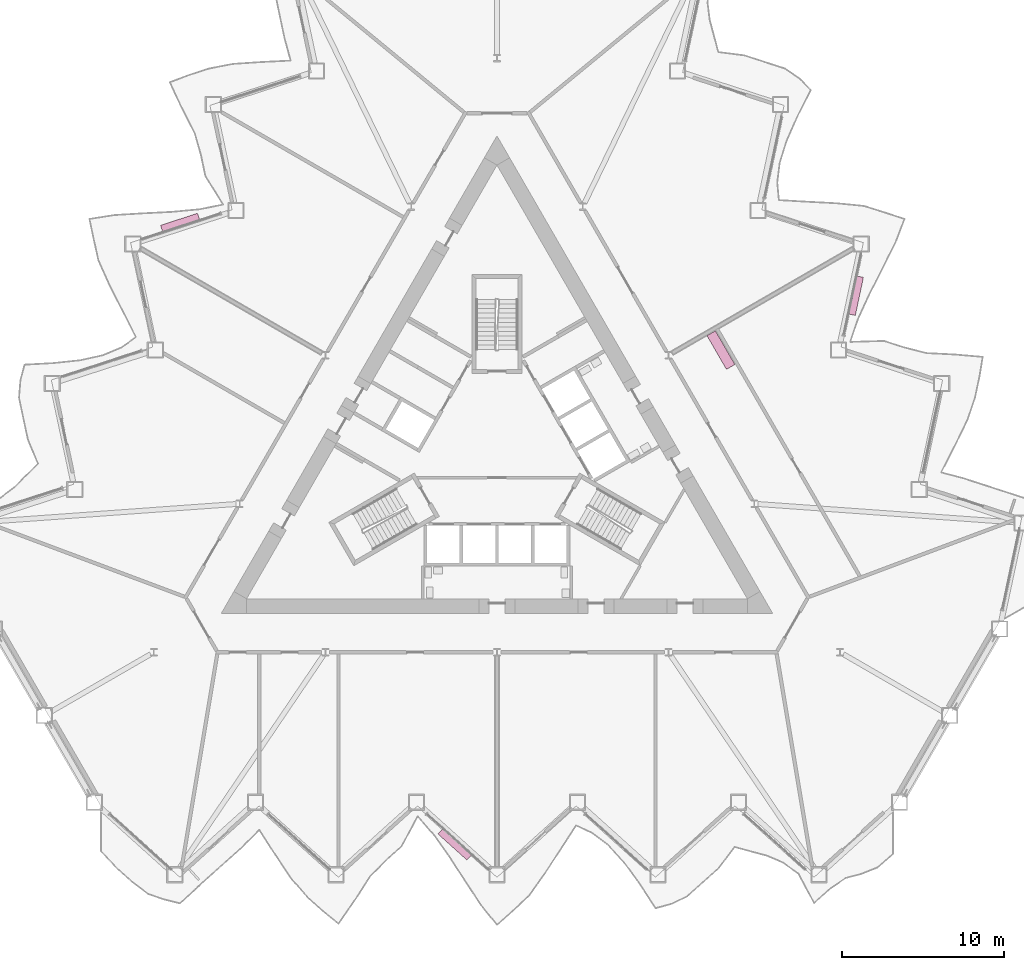
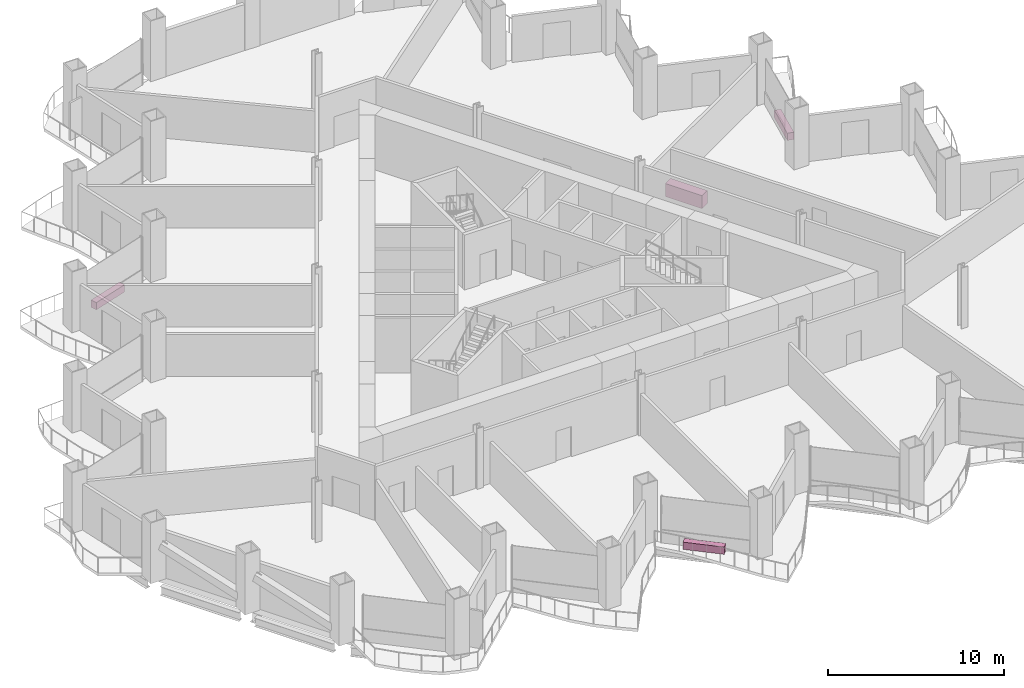
# One storey, part 20 of 20: 4 furniture elements.
"""IFC4 building model written with IfcOpenShell, lengths in metres."""

from ifc_helpers import new_model, si_unit, direction, frame, origin, origin_2d, place, context, subcontext, project, spatial, rectangle, extrude, material, type_object, element, save


model = new_model("IFC4")

# Units and contexts
model_context = context("Model", 3, precision=1e-05, world=origin(), true_north=direction((0.0, 1.0)))
body_context = subcontext(model_context, "Body", "Model", "MODEL_VIEW")
ifc_project = project(units=[si_unit("LENGTHUNIT", "METRE"), si_unit("AREAUNIT", "SQUARE_METRE"), si_unit("VOLUMEUNIT", "CUBIC_METRE"), si_unit("PLANEANGLEUNIT", "RADIAN"), si_unit("MASSUNIT", "GRAM", prefix="KILO")], contexts=[model_context])

# Site, building, storey
site_placement = place(None, origin())
site = spatial("IfcSite", under=ifc_project, at=site_placement, CompositionType="ELEMENT")
building_placement = place(site_placement, origin())
building = spatial("IfcBuilding", under=site, at=building_placement, Name="Cormorant Prow Tower", CompositionType="ELEMENT")
storey_placement = place(building_placement, frame((0.0, 0.0, 63.60009765625)))
storey = spatial("IfcBuildingStorey", under=building, at=storey_placement, Name="L13", CompositionType="ELEMENT", Elevation=63.60009765625)

# Furniture
ifc_material_1 = material(Name="Terracotta", Category="masonry")
furniture_type_1 = type_object("IfcFurnitureType", Name="Balcony planter 2400x400x500", AssemblyPlace="NOTDEFINED", PredefinedType="USERDEFINED", material=ifc_material_1)
for number, where, z_axis, x_axis, name in (
    (1, (-2.611083984375, -24.072265625, 0.0), (0.0, 0.0, 1.0), (0.743144808544, -0.669130625166, 0.0), "Balcony planter S04"),
    (2, (22.15283203125, 9.774658203125, 0.0), (0.0, 0.0, 1.0), (0.207911660293, 0.978147607222, 0.0), "Balcony planter ENE04"),
    (3, (-19.54150390625, 14.29736328125, 0.0), (0.0, 0.0, 1.0), (-0.951056488633, -0.309017079512, 0.0), "Balcony planter WNW04"),
):
    element("IfcFurniture", number, at=place(storey_placement, frame(where, z_axis=z_axis, x_axis=x_axis)), inside=storey, type_object=furniture_type_1, Name=name, ObjectType="PLANTER", PredefinedType="USERDEFINED", context=body_context, shape_type="SweptSolid", body=[
        extrude(rectangle(XDim=2.39990234375, YDim=0.39990234375, at=origin_2d()), origin(), (0.0, 0.0, 1.0), 0.5),
    ])
ifc_material_2 = material(Name="Timber joinery", Category="wood")
furniture_type_2 = type_object("IfcFurnitureType", Name="Kitchen counter 2400x600", AssemblyPlace="NOTDEFINED", PredefinedType="NOTDEFINED", material=ifc_material_2)
furniture_placement = place(storey_placement, frame((13.81005859375, 6.420166015625, 0.0), z_axis=(0.0, 0.0, 1.0), x_axis=(0.5, -0.866025403784, 0.0)))
element("IfcFurniture", 4, at=furniture_placement, inside=storey, type_object=furniture_type_2, Name="Kitchen counter", PredefinedType="NOTDEFINED", context=body_context, shape_type="SweptSolid", body=[
    extrude(rectangle(XDim=2.39990234375, YDim=0.60009765625, at=origin_2d()), origin(), (0.0, 0.0, 1.0), 0.89990234375),
])

save(model, "model.ifc")
